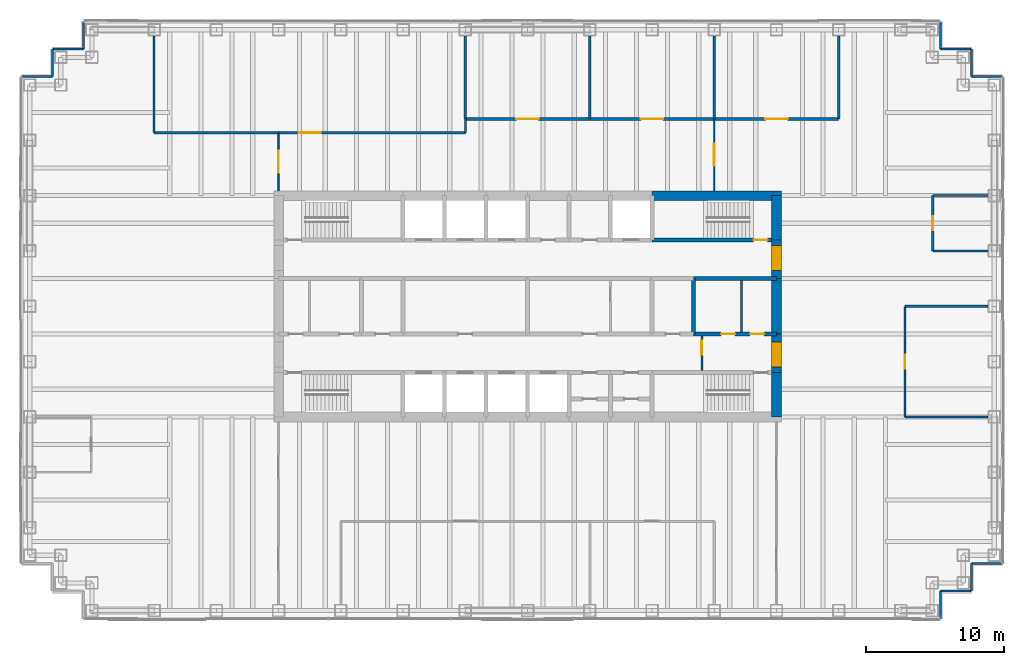
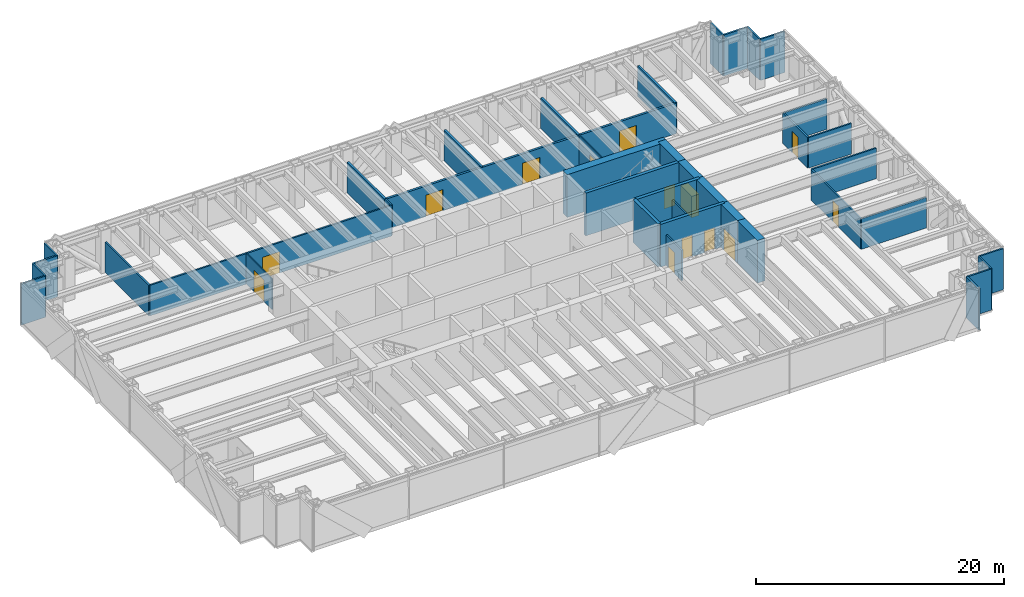
# One storey, part 15 of 17: 40 walls, 14 doors, 14 openings.
"""IFC4 building model written with IfcOpenShell, lengths in metres."""

from ifc_helpers import new_model, si_unit, direction, frame, frame_2d, origin, place, context, subcontext, project, spatial, rectangle, extrude, material, layer, layer_set, type_object, element, fill, save


model = new_model("IFC4")

# Units and contexts
model_context = context("Model", 3, precision=1e-05, world=origin(), true_north=direction((0.0, 1.0)))
body_context = subcontext(model_context, "Body", "Model", "MODEL_VIEW")
ifc_project = project(units=[si_unit("LENGTHUNIT", "METRE"), si_unit("AREAUNIT", "SQUARE_METRE"), si_unit("VOLUMEUNIT", "CUBIC_METRE"), si_unit("PLANEANGLEUNIT", "RADIAN"), si_unit("MASSUNIT", "GRAM", prefix="KILO")], contexts=[model_context])

# Site, building, storey
site_placement = place(None, origin())
site = spatial("IfcSite", under=ifc_project, at=site_placement, CompositionType="ELEMENT")
building_placement = place(site_placement, origin())
building = spatial("IfcBuilding", under=site, at=building_placement, Name="Rheinbord Bourse Tower", CompositionType="ELEMENT")
storey_placement = place(building_placement, frame((0.0, 0.0, 300.5)))
storey = spatial("IfcBuildingStorey", under=building, at=storey_placement, Name="L68", CompositionType="ELEMENT", Elevation=300.5)

# Wall, openings, doors
ifc_material_1 = material(Name="Acoustic gypsum board partition", Category="gypsum board")
ifc_layer_1 = layer(ifc_material_1, 0.199951171875)
ifc_layer_set_1 = layer_set([ifc_layer_1], Name="ACOUSTIC PARTITION 200")
wall_type_1 = type_object("IfcWallType", Name="ACOUSTIC PARTITION 200", PredefinedType="PARTITIONING", material=ifc_layer_set_1)
wall_1_placement = place(storey_placement, frame((31.5, 37.550048828125, 0.0), z_axis=(0.0, 0.0, 1.0), x_axis=(1.0, 0.0, 0.0)))
wall_1 = element("IfcWall", 1, at=wall_1_placement, inside=storey, type_object=wall_type_1, Name="Partition L68-10", PredefinedType="PARTITIONING", context=body_context, shape_type="SweptSolid", body=[
    extrude(rectangle(XDim=27.0, YDim=0.199951171875, at=frame_2d((13.5, 0.0))), origin(), (0.0, 0.0, 1.0), 3.0),
])
opening_1_placement = place(wall_1_placement, frame((3.699951171875, 0.0, 0.0)))
opening_1 = element("IfcOpeningElement", 2, at=opening_1_placement, cuts=wall_1, Name="Opening 68D07", PredefinedType="OPENING", context=body_context, shape_type="SweptSolid", body=[
    extrude(rectangle(XDim=1.60009765625, YDim=2.10009765625, at=frame_2d((0.800048828125, 1.050048828125))), frame((0.0, 0.10986328125, 0.0), z_axis=(0.0, -1.0, 0.0), x_axis=(1.0, 0.0, 0.0)), (0.0, 0.0, 1.0), 0.219970703125),
])
opening_2_placement = place(wall_1_placement, frame((12.699951171875, 0.0, 0.0)))
opening_2 = element("IfcOpeningElement", 3, at=opening_2_placement, cuts=wall_1, Name="Opening 68D08", PredefinedType="OPENING", context=body_context, shape_type="SweptSolid", body=[
    extrude(rectangle(XDim=1.60009765625, YDim=2.10009765625, at=frame_2d((0.800048828125, 1.050048828125))), frame((0.0, 0.10986328125, 0.0), z_axis=(0.0, -1.0, 0.0), x_axis=(1.0, 0.0, 0.0)), (0.0, 0.0, 1.0), 0.219970703125),
])
opening_3_placement = place(wall_1_placement, frame((21.699951171875, 0.0, 0.0)))
opening_3 = element("IfcOpeningElement", 4, at=opening_3_placement, cuts=wall_1, Name="Opening 68D09", PredefinedType="OPENING", context=body_context, shape_type="SweptSolid", body=[
    extrude(rectangle(XDim=1.60009765625, YDim=2.10009765625, at=frame_2d((0.800048828125, 1.050048828125))), frame((0.0, 0.10986328125, 0.0), z_axis=(0.0, -1.0, 0.0), x_axis=(1.0, 0.0, 0.0)), (0.0, 0.0, 1.0), 0.219970703125),
])
ifc_material_2 = material(Name="Timber door", Category="wood")
door_type_1 = type_object("IfcDoorType", Name="DOUBLE ROOM DOOR 1600", OperationType="DOUBLE_DOOR_DOUBLE_SWING", PredefinedType="DOOR", material=ifc_material_2)
door_1_placement = place(opening_1_placement, origin())
door_1 = element("IfcDoor", 5, at=door_1_placement, inside=storey, type_object=door_type_1, Name="Private dining room door L68", OperationType="SINGLE_SWING_LEFT", OverallHeight=2.10009765625, OverallWidth=1.60009765625, PredefinedType="DOOR", context=body_context, shape_type="SweptSolid", body=[
    extrude(rectangle(XDim=1.60009765625, YDim=2.10009765625, at=frame_2d((0.800048828125, 1.050048828125))), frame((0.0, 0.02490234375, 0.0), z_axis=(0.0, -1.0, 0.0), x_axis=(1.0, 0.0, 0.0)), (0.0, 0.0, 1.0), 0.050048828125),
])
fill(opening_1, door_1)
door_2_placement = place(opening_2_placement, origin())
door_2 = element("IfcDoor", 6, at=door_2_placement, inside=storey, type_object=door_type_1, Name="Private dining room door L68", OperationType="SINGLE_SWING_LEFT", OverallHeight=2.10009765625, OverallWidth=1.60009765625, PredefinedType="DOOR", context=body_context, shape_type="SweptSolid", body=[
    extrude(rectangle(XDim=1.60009765625, YDim=2.10009765625, at=frame_2d((0.800048828125, 1.050048828125))), frame((0.0, 0.02490234375, 0.0), z_axis=(0.0, -1.0, 0.0), x_axis=(1.0, 0.0, 0.0)), (0.0, 0.0, 1.0), 0.050048828125),
])
fill(opening_2, door_2)
door_3_placement = place(opening_3_placement, origin())
door_3 = element("IfcDoor", 7, at=door_3_placement, inside=storey, type_object=door_type_1, Name="Private dining room door L68", OperationType="SINGLE_SWING_LEFT", OverallHeight=2.10009765625, OverallWidth=1.60009765625, PredefinedType="DOOR", context=body_context, shape_type="SweptSolid", body=[
    extrude(rectangle(XDim=1.60009765625, YDim=2.10009765625, at=frame_2d((0.800048828125, 1.050048828125))), frame((0.0, 0.02490234375, 0.0), z_axis=(0.0, -1.0, 0.0), x_axis=(1.0, 0.0, 0.0)), (0.0, 0.0, 1.0), 0.050048828125),
])
fill(opening_3, door_3)

# Walls
for number, where, z_axis, x_axis, name in (
    (8, (31.5, 37.550048828125, 0.0), (0.0, 0.0, 1.0), (0.0, 1.0, 0.0), "Partition L68-17"),
    (9, (40.5, 37.550048828125, 0.0), (0.0, 0.0, 1.0), (0.0, 1.0, 0.0), "Partition L68-19"),
    (10, (49.5, 37.550048828125, 0.0), (0.0, 0.0, 1.0), (0.0, 1.0, 0.0), "Partition L68-22"),
    (11, (58.5, 37.550048828125, 0.0), (0.0, 0.0, 1.0), (0.0, 1.0, 0.0), "Partition L68-24"),
):
    element("IfcWall", number, at=place(storey_placement, frame(where, z_axis=z_axis, x_axis=x_axis)), inside=storey, type_object=wall_type_1, Name=name, PredefinedType="PARTITIONING", context=body_context, shape_type="SweptSolid", body=[
        extrude(rectangle(XDim=6.0, YDim=0.199951171875, at=frame_2d((3.0, 0.0))), origin(), (0.0, 0.0, 1.0), 3.0),
    ])

# Wall, opening, door
ifc_material_3 = material(Name="Concrete C50/60", Category="concrete")
ifc_layer_2 = layer(ifc_material_3, 0.300048828125)
ifc_layer_set_2 = layer_set([ifc_layer_2], Name="CORE INNER WALL 300")
wall_type_2 = type_object("IfcWallType", Name="CORE INNER WALL 300", PredefinedType="SOLIDWALL", material=ifc_layer_set_2)
wall_2_placement = place(storey_placement, frame((45.0, 28.800048828125, 0.0), z_axis=(0.0, 0.0, 1.0), x_axis=(1.0, 0.0, 0.0)))
wall_2 = element("IfcWall", 12, at=wall_2_placement, inside=storey, type_object=wall_type_2, Name="Core wall B8 L68", PredefinedType="SOLIDWALL", context=body_context, shape_type="SweptSolid", body=[
    extrude(rectangle(XDim=9.0, YDim=0.300048828125, at=frame_2d((4.5, 0.0))), origin(), (0.0, 0.0, 1.0), 4.199951171875),
])
opening_4_placement = place(wall_2_placement, frame((7.35009765625, 0.0, 0.0)))
opening_4 = element("IfcOpeningElement", 13, at=opening_4_placement, cuts=wall_2, Name="Opening 6840", PredefinedType="OPENING", context=body_context, shape_type="SweptSolid", body=[
    extrude(rectangle(XDim=1.0, YDim=2.10009765625, at=frame_2d((0.5, 1.050048828125))), frame((0.0, 0.159912109375, 0.0), z_axis=(0.0, -1.0, 0.0), x_axis=(1.0, 0.0, 0.0)), (0.0, 0.0, 1.0), 0.320068359375),
])
ifc_material_4 = material(Name="Steel door", Category="steel")
door_type_2 = type_object("IfcDoorType", Name="DOOR 1000 EI30", OperationType="SINGLE_SWING_LEFT", PredefinedType="DOOR", material=ifc_material_4)
door_4_placement = place(opening_4_placement, origin())
door_4 = element("IfcDoor", 14, at=door_4_placement, inside=storey, type_object=door_type_2, Name="Stair door ST4 L68", OperationType="SINGLE_SWING_RIGHT", OverallHeight=2.10009765625, OverallWidth=1.0, PredefinedType="DOOR", context=body_context, shape_type="SweptSolid", body=[
    extrude(rectangle(XDim=1.0, YDim=2.10009765625, at=frame_2d((0.5, 1.050048828125))), frame((0.0, 0.02490234375, 0.0), z_axis=(0.0, -1.0, 0.0), x_axis=(1.0, 0.0, 0.0)), (0.0, 0.0, 1.0), 0.050048828125),
])
fill(opening_4, door_4)

# Wall, openings, doors
wall_3_placement = place(storey_placement, frame((48.0, 22.0, 0.0), z_axis=(0.0, 0.0, 1.0), x_axis=(1.0, 0.0, 0.0)))
wall_3 = element("IfcWall", 15, at=wall_3_placement, inside=storey, type_object=wall_type_2, Name="Core wall C6 L68", PredefinedType="SOLIDWALL", context=body_context, shape_type="SweptSolid", body=[
    extrude(rectangle(XDim=6.0, YDim=0.300048828125, at=frame_2d((3.0, 0.0))), origin(), (0.0, 0.0, 1.0), 4.199951171875),
])
opening_5_placement = place(wall_3_placement, frame((2.0, 0.0, 0.0)))
opening_5 = element("IfcOpeningElement", 16, at=opening_5_placement, cuts=wall_3, Name="Opening 68R6", PredefinedType="OPENING", context=body_context, shape_type="SweptSolid", body=[
    extrude(rectangle(XDim=1.0, YDim=2.10009765625, at=frame_2d((0.5, 1.050048828125))), frame((0.0, 0.159912109375, 0.0), z_axis=(0.0, -1.0, 0.0), x_axis=(1.0, 0.0, 0.0)), (0.0, 0.0, 1.0), 0.320068359375),
])
opening_6_placement = place(wall_3_placement, frame((4.10009765625, 0.0, 0.0)))
opening_6 = element("IfcOpeningElement", 17, at=opening_6_placement, cuts=wall_3, Name="Opening 68R10", PredefinedType="OPENING", context=body_context, shape_type="SweptSolid", body=[
    extrude(rectangle(XDim=1.0, YDim=2.10009765625, at=frame_2d((0.5, 1.050048828125))), frame((0.0, 0.159912109375, 0.0), z_axis=(0.0, -1.0, 0.0), x_axis=(1.0, 0.0, 0.0)), (0.0, 0.0, 1.0), 0.320068359375),
])
door_5_placement = place(opening_6_placement, origin())
door_5 = element("IfcDoor", 18, at=door_5_placement, inside=storey, type_object=door_type_2, Name="Baby change door L68", OperationType="SINGLE_SWING_RIGHT", OverallHeight=2.10009765625, OverallWidth=1.0, PredefinedType="DOOR", context=body_context, shape_type="SweptSolid", body=[
    extrude(rectangle(XDim=1.0, YDim=2.10009765625, at=frame_2d((0.5, 1.050048828125))), frame((0.0, 0.02490234375, 0.0), z_axis=(0.0, -1.0, 0.0), x_axis=(1.0, 0.0, 0.0)), (0.0, 0.0, 1.0), 0.050048828125),
])
fill(opening_6, door_5)
ifc_material_5 = material(Name="Timber door", Category="wood")
door_type_3 = type_object("IfcDoorType", Name="DOOR 1000 WC", OperationType="SINGLE_SWING_LEFT", PredefinedType="DOOR", material=ifc_material_5)
door_6_placement = place(opening_5_placement, origin())
door_6 = element("IfcDoor", 19, at=door_6_placement, inside=storey, type_object=door_type_3, Name="WC women door L68", OperationType="SINGLE_SWING_LEFT", OverallHeight=2.10009765625, OverallWidth=1.0, PredefinedType="DOOR", context=body_context, shape_type="SweptSolid", body=[
    extrude(rectangle(XDim=1.0, YDim=2.10009765625, at=frame_2d((0.5, 1.050048828125))), frame((0.0, 0.02490234375, 0.0), z_axis=(0.0, -1.0, 0.0), x_axis=(1.0, 0.0, 0.0)), (0.0, 0.0, 1.0), 0.050048828125),
])
fill(opening_5, door_6)

# Walls
wall_4_placement = place(storey_placement, frame((48.0, 26.0, 0.0), z_axis=(0.0, 0.0, 1.0), x_axis=(1.0, 0.0, 0.0)))
element("IfcWall", 20, at=wall_4_placement, inside=storey, type_object=wall_type_2, Name="Core wall D6 L68", PredefinedType="SOLIDWALL", context=body_context, shape_type="SweptSolid", body=[
    extrude(rectangle(XDim=6.0, YDim=0.300048828125, at=frame_2d((3.0, 0.0))), origin(), (0.0, 0.0, 1.0), 4.199951171875),
])
wall_5_placement = place(storey_placement, frame((48.0, 22.0, 0.0), z_axis=(0.0, 0.0, 1.0), x_axis=(0.0, 1.0, 0.0)))
element("IfcWall", 21, at=wall_5_placement, inside=storey, type_object=wall_type_2, Name="Core wall MX48 L68", PredefinedType="SOLIDWALL", context=body_context, shape_type="SweptSolid", body=[
    extrude(rectangle(XDim=4.0, YDim=0.300048828125, at=frame_2d((2.0, 0.0))), origin(), (0.0, 0.0, 1.0), 4.199951171875),
])
ifc_material_6 = material(Name="Gypsum board fire partition", Category="gypsum board")
ifc_layer_3 = layer(ifc_material_6, 0.14990234375)
ifc_layer_set_3 = layer_set([ifc_layer_3], Name="CORE PARTITION 150 EI30")
wall_type_3 = type_object("IfcWallType", Name="CORE PARTITION 150 EI30", PredefinedType="PARTITIONING", material=ifc_layer_set_3)
wall_6_placement = place(storey_placement, frame((51.47509765625, 22.14990234375, 0.0), z_axis=(0.0, 0.0, 1.0), x_axis=(0.0, 1.0, 0.0)))
element("IfcWall", 22, at=wall_6_placement, inside=storey, type_object=wall_type_3, Name="Core partition L68-3", PredefinedType="PARTITIONING", context=body_context, shape_type="SweptSolid", body=[
    extrude(rectangle(XDim=3.7001953125, YDim=0.14990234375, at=frame_2d((1.85009765625, 0.0))), origin(), (0.0, 0.0, 1.0), 3.0),
])

# Wall, opening, door
wall_7_placement = place(storey_placement, frame((48.60009765625, 19.35009765625, 0.0), z_axis=(0.0, 0.0, 1.0), x_axis=(0.0, 1.0, 0.0)))
wall_7 = element("IfcWall", 23, at=wall_7_placement, inside=storey, type_object=wall_type_3, Name="Core partition L68-4", PredefinedType="PARTITIONING", context=body_context, shape_type="SweptSolid", body=[
    extrude(rectangle(XDim=2.5, YDim=0.14990234375, at=frame_2d((1.25, 0.0))), origin(), (0.0, 0.0, 1.0), 3.0),
])
opening_7_placement = place(wall_7_placement, frame((1.14990234375, 0.0, 0.0)))
opening_7 = element("IfcOpeningElement", 24, at=opening_7_placement, cuts=wall_7, Name="Opening 68L5", PredefinedType="OPENING", context=body_context, shape_type="SweptSolid", body=[
    extrude(rectangle(XDim=1.0, YDim=2.10009765625, at=frame_2d((0.5, 1.050048828125))), frame((0.0, 0.0849609375, 0.0), z_axis=(0.0, -1.0, 0.0), x_axis=(1.0, 0.0, 0.0)), (0.0, 0.0, 1.0), 0.169921875),
])
door_7_placement = place(opening_7_placement, origin())
door_7 = element("IfcDoor", 25, at=door_7_placement, inside=storey, type_object=door_type_2, Name="Stair lobby door L68", OperationType="SINGLE_SWING_RIGHT", OverallHeight=2.10009765625, OverallWidth=1.0, PredefinedType="DOOR", context=body_context, shape_type="SweptSolid", body=[
    extrude(rectangle(XDim=1.0, YDim=2.10009765625, at=frame_2d((0.5, 1.050048828125))), frame((0.0, 0.02490234375, 0.0), z_axis=(0.0, -1.0, 0.0), x_axis=(1.0, 0.0, 0.0)), (0.0, 0.0, 1.0), 0.050048828125),
])
fill(opening_7, door_7)

# Walls
ifc_material_7 = material(Name="Concrete C50/60", Category="concrete")
ifc_layer_4 = layer(ifc_material_7, 0.699951171875)
ifc_layer_set_4 = layer_set([ifc_layer_4], Name="CORE WALL 700")
wall_type_4 = type_object("IfcWallType", Name="CORE WALL 700", PredefinedType="SHEAR", material=ifc_layer_set_4)
wall_8_placement = place(storey_placement, frame((54.35009765625, 32.0, 0.0), z_axis=(0.0, 0.0, 1.0), x_axis=(-1.0, 0.0, 0.0)))
element("IfcWall", 26, at=wall_8_placement, inside=storey, type_object=wall_type_4, Name="Core wall N1 L68", PredefinedType="SHEAR", context=body_context, shape_type="SweptSolid", body=[
    extrude(rectangle(XDim=9.35009765625, YDim=0.699951171875, at=frame_2d((4.675048828125, 0.0))), origin(), (0.0, 0.0, 1.0), 4.199951171875),
])
wall_9_placement = place(storey_placement, frame((54.0, 16.0, 0.0), z_axis=(0.0, 0.0, 1.0), x_axis=(0.0, 1.0, 0.0)))
element("IfcWall", 27, at=wall_9_placement, inside=storey, type_object=wall_type_4, Name="Core wall E1 L68", PredefinedType="SHEAR", context=body_context, shape_type="SweptSolid", body=[
    extrude(rectangle(XDim=3.199951171875, YDim=0.699951171875, at=frame_2d((1.60009765625, 0.0))), origin(), (0.0, 0.0, 1.0), 4.199951171875),
])

# Wall, opening, door
wall_10_placement = place(storey_placement, frame((54.0, 19.199951171875, 0.0), z_axis=(0.0, 0.0, 1.0), x_axis=(0.0, 1.0, 0.0)))
wall_10 = element("IfcWall", 28, at=wall_10_placement, inside=storey, type_object=wall_type_4, Name="Core wall E2 L68", PredefinedType="SHEAR", context=body_context, shape_type="SweptSolid", body=[
    extrude(rectangle(XDim=2.800048828125, YDim=0.699951171875, at=frame_2d((1.39990234375, 0.0))), origin(), (0.0, 0.0, 1.0), 4.199951171875),
])
opening_8_placement = place(wall_10_placement, frame((0.39990234375, 0.0, 0.0)))
opening_8 = element("IfcOpeningElement", 29, at=opening_8_placement, cuts=wall_10, Name="Opening 68L3", PredefinedType="OPENING", context=body_context, shape_type="SweptSolid", body=[
    extrude(rectangle(XDim=1.800048828125, YDim=2.10009765625, at=frame_2d((0.89990234375, 1.050048828125))), frame((0.0, 0.35986328125, 0.0), z_axis=(0.0, -1.0, 0.0), x_axis=(1.0, 0.0, 0.0)), (0.0, 0.0, 1.0), 0.719970703125),
])
ifc_material_8 = material(Name="Steel door", Category="steel")
door_type_4 = type_object("IfcDoorType", Name="DOOR 1800 EI30 DOUBLE", OperationType="DOUBLE_DOOR_DOUBLE_SWING", PredefinedType="DOOR", material=ifc_material_8)
door_8_placement = place(opening_8_placement, origin())
door_8 = element("IfcDoor", 30, at=door_8_placement, inside=storey, type_object=door_type_4, Name="Lobby door 3 L68", OperationType="SINGLE_SWING_LEFT", OverallHeight=2.10009765625, OverallWidth=1.800048828125, PredefinedType="DOOR", context=body_context, shape_type="SweptSolid", body=[
    extrude(rectangle(XDim=1.800048828125, YDim=2.10009765625, at=frame_2d((0.89990234375, 1.050048828125))), frame((0.0, 0.349609375, 0.0), z_axis=(0.0, -1.0, 0.0), x_axis=(1.0, 0.0, 0.0)), (0.0, 0.0, 1.0), 0.699462890625),
])
fill(opening_8, door_8)

# Wall
wall_11_placement = place(storey_placement, frame((54.0, 22.0, 0.0), z_axis=(0.0, 0.0, 1.0), x_axis=(0.0, 1.0, 0.0)))
element("IfcWall", 31, at=wall_11_placement, inside=storey, type_object=wall_type_4, Name="Core wall E3 L68", PredefinedType="SHEAR", context=body_context, shape_type="SweptSolid", body=[
    extrude(rectangle(XDim=4.0, YDim=0.699951171875, at=frame_2d((2.0, 0.0))), origin(), (0.0, 0.0, 1.0), 4.199951171875),
])

# Wall, opening, door
wall_12_placement = place(storey_placement, frame((54.0, 26.0, 0.0), z_axis=(0.0, 0.0, 1.0), x_axis=(0.0, 1.0, 0.0)))
wall_12 = element("IfcWall", 32, at=wall_12_placement, inside=storey, type_object=wall_type_4, Name="Core wall E4 L68", PredefinedType="SHEAR", context=body_context, shape_type="SweptSolid", body=[
    extrude(rectangle(XDim=2.800048828125, YDim=0.699951171875, at=frame_2d((1.39990234375, 0.0))), origin(), (0.0, 0.0, 1.0), 4.199951171875),
])
opening_9_placement = place(wall_12_placement, frame((0.60009765625, 0.0, 0.0)))
opening_9 = element("IfcOpeningElement", 33, at=opening_9_placement, cuts=wall_12, Name="Opening 68L4", PredefinedType="OPENING", context=body_context, shape_type="SweptSolid", body=[
    extrude(rectangle(XDim=1.800048828125, YDim=2.10009765625, at=frame_2d((0.89990234375, 1.050048828125))), frame((0.0, 0.35986328125, 0.0), z_axis=(0.0, -1.0, 0.0), x_axis=(1.0, 0.0, 0.0)), (0.0, 0.0, 1.0), 0.719970703125),
])
door_9_placement = place(opening_9_placement, origin())
door_9 = element("IfcDoor", 34, at=door_9_placement, inside=storey, type_object=door_type_4, Name="Lobby door 4 L68", OperationType="SINGLE_SWING_LEFT", OverallHeight=2.10009765625, OverallWidth=1.800048828125, PredefinedType="DOOR", context=body_context, shape_type="SweptSolid", body=[
    extrude(rectangle(XDim=1.800048828125, YDim=2.10009765625, at=frame_2d((0.89990234375, 1.050048828125))), frame((0.0, 0.349609375, 0.0), z_axis=(0.0, -1.0, 0.0), x_axis=(1.0, 0.0, 0.0)), (0.0, 0.0, 1.0), 0.699462890625),
])
fill(opening_9, door_9)

# Walls
wall_13_placement = place(storey_placement, frame((54.0, 28.800048828125, 0.0), z_axis=(0.0, 0.0, 1.0), x_axis=(0.0, 1.0, 0.0)))
element("IfcWall", 35, at=wall_13_placement, inside=storey, type_object=wall_type_4, Name="Core wall E5 L68", PredefinedType="SHEAR", context=body_context, shape_type="SweptSolid", body=[
    extrude(rectangle(XDim=3.199951171875, YDim=0.699951171875, at=frame_2d((1.60009765625, 0.0))), origin(), (0.0, 0.0, 1.0), 4.199951171875),
])
ifc_material_9 = material(Name="Black metal rainscreen panel", Category="aluminium")
ifc_layer_5 = layer(ifc_material_9, 0.14990234375)
ifc_layer_set_5 = layer_set([ifc_layer_5], Name="CORNER PIER CLADDING 150")
wall_type_5 = type_object("IfcWallType", Name="CORNER PIER CLADDING 150", PredefinedType="ELEMENTEDWALL", material=ifc_layer_set_5)
wall_14_placement = place(storey_placement, frame((65.85009765625, 1.39990234375, 0.0), z_axis=(0.0, 0.0, 1.0), x_axis=(0.0, 1.0, 0.0)))
element("IfcWall", 36, at=wall_14_placement, inside=storey, type_object=wall_type_5, Name="Corner pier cladding L68 2", PredefinedType="ELEMENTEDWALL", context=body_context, shape_type="SweptSolid", body=[
    extrude(rectangle(XDim=2.0, YDim=0.14990234375, at=frame_2d((1.0, 0.0))), origin(), (0.0, 0.0, 1.0), 4.0400390625),
])
wall_15_placement = place(storey_placement, frame((65.85009765625, 3.39990234375, 0.0), z_axis=(0.0, 0.0, 1.0), x_axis=(1.0, 0.0, 0.0)))
element("IfcWall", 37, at=wall_15_placement, inside=storey, type_object=wall_type_5, Name="Corner pier cladding L68 3", PredefinedType="ELEMENTEDWALL", context=body_context, shape_type="SweptSolid", body=[
    extrude(rectangle(XDim=2.25, YDim=0.14990234375, at=frame_2d((1.125, 0.0))), origin(), (0.0, 0.0, 1.0), 4.0400390625),
])
wall_16_placement = place(storey_placement, frame((68.10009765625, 3.39990234375, 0.0), z_axis=(0.0, 0.0, 1.0), x_axis=(0.0, 1.0, 0.0)))
element("IfcWall", 38, at=wall_16_placement, inside=storey, type_object=wall_type_5, Name="Corner pier cladding L68 4", PredefinedType="ELEMENTEDWALL", context=body_context, shape_type="SweptSolid", body=[
    extrude(rectangle(XDim=2.0, YDim=0.14990234375, at=frame_2d((1.0, 0.0))), origin(), (0.0, 0.0, 1.0), 4.0400390625),
])
for number, where, z_axis, x_axis, name in (
    (39, (68.10009765625, 5.39990234375, 0.0), (0.0, 0.0, 1.0), (1.0, 0.0, 0.0), "Corner pier cladding L68 5"),
    (40, (70.35009765625, 40.60009765625, 0.0), (0.0, 0.0, 1.0), (-1.0, 0.0, 0.0), "Corner pier cladding L68 7"),
):
    element("IfcWall", number, at=place(storey_placement, frame(where, z_axis=z_axis, x_axis=x_axis)), inside=storey, type_object=wall_type_5, Name=name, PredefinedType="ELEMENTEDWALL", context=body_context, shape_type="SweptSolid", body=[
        extrude(rectangle(XDim=2.25, YDim=0.14990234375, at=frame_2d((1.125, 0.0))), origin(), (0.0, 0.0, 1.0), 4.0400390625),
    ])
wall_17_placement = place(storey_placement, frame((68.10009765625, 40.60009765625, 0.0), z_axis=(0.0, 0.0, 1.0), x_axis=(0.0, 1.0, 0.0)))
element("IfcWall", 41, at=wall_17_placement, inside=storey, type_object=wall_type_5, Name="Corner pier cladding L68 8", PredefinedType="ELEMENTEDWALL", context=body_context, shape_type="SweptSolid", body=[
    extrude(rectangle(XDim=2.0, YDim=0.14990234375, at=frame_2d((1.0, 0.0))), origin(), (0.0, 0.0, 1.0), 4.0400390625),
])
wall_18_placement = place(storey_placement, frame((68.10009765625, 42.60009765625, 0.0), z_axis=(0.0, 0.0, 1.0), x_axis=(-1.0, 0.0, 0.0)))
element("IfcWall", 42, at=wall_18_placement, inside=storey, type_object=wall_type_5, Name="Corner pier cladding L68 9", PredefinedType="ELEMENTEDWALL", context=body_context, shape_type="SweptSolid", body=[
    extrude(rectangle(XDim=2.25, YDim=0.14990234375, at=frame_2d((1.125, 0.0))), origin(), (0.0, 0.0, 1.0), 4.0400390625),
])
for number, where, z_axis, x_axis, name in (
    (43, (65.85009765625, 42.60009765625, 0.0), (0.0, 0.0, 1.0), (0.0, 1.0, 0.0), "Corner pier cladding L68 10"),
    (44, (3.89990234375, 44.60009765625, 0.0), (0.0, 0.0, 1.0), (0.0, -1.0, 0.0), "Corner pier cladding L68 12"),
):
    element("IfcWall", number, at=place(storey_placement, frame(where, z_axis=z_axis, x_axis=x_axis)), inside=storey, type_object=wall_type_5, Name=name, PredefinedType="ELEMENTEDWALL", context=body_context, shape_type="SweptSolid", body=[
        extrude(rectangle(XDim=2.0, YDim=0.14990234375, at=frame_2d((1.0, 0.0))), origin(), (0.0, 0.0, 1.0), 4.0400390625),
    ])
wall_19_placement = place(storey_placement, frame((3.89990234375, 42.60009765625, 0.0), z_axis=(0.0, 0.0, 1.0), x_axis=(-1.0, 0.0, 0.0)))
element("IfcWall", 45, at=wall_19_placement, inside=storey, type_object=wall_type_5, Name="Corner pier cladding L68 13", PredefinedType="ELEMENTEDWALL", context=body_context, shape_type="SweptSolid", body=[
    extrude(rectangle(XDim=2.25, YDim=0.14990234375, at=frame_2d((1.125, 0.0))), origin(), (0.0, 0.0, 1.0), 4.0400390625),
])
wall_20_placement = place(storey_placement, frame((1.64990234375, 42.60009765625, 0.0), z_axis=(0.0, 0.0, 1.0), x_axis=(0.0, -1.0, 0.0)))
element("IfcWall", 46, at=wall_20_placement, inside=storey, type_object=wall_type_5, Name="Corner pier cladding L68 14", PredefinedType="ELEMENTEDWALL", context=body_context, shape_type="SweptSolid", body=[
    extrude(rectangle(XDim=2.0, YDim=0.14990234375, at=frame_2d((1.0, 0.0))), origin(), (0.0, 0.0, 1.0), 4.0400390625),
])
wall_21_placement = place(storey_placement, frame((1.64990234375, 40.60009765625, 0.0), z_axis=(0.0, 0.0, 1.0), x_axis=(-1.0, 0.0, 0.0)))
element("IfcWall", 47, at=wall_21_placement, inside=storey, type_object=wall_type_5, Name="Corner pier cladding L68 15", PredefinedType="ELEMENTEDWALL", context=body_context, shape_type="SweptSolid", body=[
    extrude(rectangle(XDim=2.25, YDim=0.14990234375, at=frame_2d((1.125, 0.0))), origin(), (0.0, 0.0, 1.0), 4.0400390625),
])

# Wall, opening, door
ifc_material_10 = material(Name="Toughened laminated glass partition", Category="glass")
ifc_layer_6 = layer(ifc_material_10, 0.10009765625)
ifc_layer_set_6 = layer_set([ifc_layer_6], Name="GLAZED PARTITION 100")
wall_type_6 = type_object("IfcWallType", Name="GLAZED PARTITION 100", PredefinedType="PARTITIONING", material=ifc_layer_set_6)
wall_22_placement = place(storey_placement, frame((18.0, 32.35009765625, 0.0), z_axis=(0.0, 0.0, 1.0), x_axis=(0.0, 1.0, 0.0)))
wall_22 = element("IfcWall", 48, at=wall_22_placement, inside=storey, type_object=wall_type_6, Name="Partition L68-14", PredefinedType="PARTITIONING", context=body_context, shape_type="SweptSolid", body=[
    extrude(rectangle(XDim=4.199951171875, YDim=0.10009765625, at=frame_2d((2.10009765625, 0.0))), origin(), (0.0, 0.0, 1.0), 3.0),
])
opening_10_placement = place(wall_22_placement, frame((1.300048828125, 0.0, 0.0)))
opening_10 = element("IfcOpeningElement", 49, at=opening_10_placement, cuts=wall_22, Name="Opening 68D12", PredefinedType="OPENING", context=body_context, shape_type="SweptSolid", body=[
    extrude(rectangle(XDim=1.60009765625, YDim=2.10009765625, at=frame_2d((0.800048828125, 1.050048828125))), frame((0.0, 0.06005859375, 0.0), z_axis=(0.0, -1.0, 0.0), x_axis=(1.0, 0.0, 0.0)), (0.0, 0.0, 1.0), 0.1201171875),
])
door_10_placement = place(opening_10_placement, origin())
door_10 = element("IfcDoor", 50, at=door_10_placement, inside=storey, type_object=door_type_1, Name="Open area door L68", OperationType="SINGLE_SWING_LEFT", OverallHeight=2.10009765625, OverallWidth=1.60009765625, PredefinedType="DOOR", context=body_context, shape_type="SweptSolid", body=[
    extrude(rectangle(XDim=1.60009765625, YDim=2.10009765625, at=frame_2d((0.800048828125, 1.050048828125))), frame((0.0, 0.02490234375, 0.0), z_axis=(0.0, -1.0, 0.0), x_axis=(1.0, 0.0, 0.0)), (0.0, 0.0, 1.0), 0.050048828125),
])
fill(opening_10, door_10)

wall_23_placement = place(storey_placement, frame((49.5, 32.35009765625, 0.0), z_axis=(0.0, 0.0, 1.0), x_axis=(0.0, 1.0, 0.0)))
wall_23 = element("IfcWall", 51, at=wall_23_placement, inside=storey, type_object=wall_type_6, Name="Partition L68-21", PredefinedType="PARTITIONING", context=body_context, shape_type="SweptSolid", body=[
    extrude(rectangle(XDim=5.199951171875, YDim=0.10009765625, at=frame_2d((2.60009765625, 0.0))), origin(), (0.0, 0.0, 1.0), 3.0),
])
opening_11_placement = place(wall_23_placement, frame((1.800048828125, 0.0, 0.0)))
opening_11 = element("IfcOpeningElement", 52, at=opening_11_placement, cuts=wall_23, Name="Opening 68D15", PredefinedType="OPENING", context=body_context, shape_type="SweptSolid", body=[
    extrude(rectangle(XDim=1.60009765625, YDim=2.10009765625, at=frame_2d((0.800048828125, 1.050048828125))), frame((0.0, 0.06005859375, 0.0), z_axis=(0.0, -1.0, 0.0), x_axis=(1.0, 0.0, 0.0)), (0.0, 0.0, 1.0), 0.1201171875),
])
door_11_placement = place(opening_11_placement, origin())
door_11 = element("IfcDoor", 53, at=door_11_placement, inside=storey, type_object=door_type_1, Name="Open area door L68", OperationType="SINGLE_SWING_LEFT", OverallHeight=2.10009765625, OverallWidth=1.60009765625, PredefinedType="DOOR", context=body_context, shape_type="SweptSolid", body=[
    extrude(rectangle(XDim=1.60009765625, YDim=2.10009765625, at=frame_2d((0.800048828125, 1.050048828125))), frame((0.0, 0.02490234375, 0.0), z_axis=(0.0, -1.0, 0.0), x_axis=(1.0, 0.0, 0.0)), (0.0, 0.0, 1.0), 0.050048828125),
])
fill(opening_11, door_11)

# Walls
ifc_material_11 = material(Name="Gypsum board partition", Category="gypsum board")
ifc_layer_7 = layer(ifc_material_11, 0.14990234375)
ifc_layer_set_7 = layer_set([ifc_layer_7], Name="PARTITION 150")
wall_type_7 = type_object("IfcWallType", Name="PARTITION 150", PredefinedType="PARTITIONING", material=ifc_layer_set_7)
for number, where, z_axis, x_axis, name in (
    (54, (63.300048828125, 16.0, 0.0), (0.0, 0.0, 1.0), (1.0, 0.0, 0.0), "Partition L68-05"),
    (55, (63.300048828125, 24.0, 0.0), (0.0, 0.0, 1.0), (1.0, 0.0, 0.0), "Partition L68-06"),
):
    element("IfcWall", number, at=place(storey_placement, frame(where, z_axis=z_axis, x_axis=x_axis)), inside=storey, type_object=wall_type_7, Name=name, PredefinedType="PARTITIONING", context=body_context, shape_type="SweptSolid", body=[
        extrude(rectangle(XDim=6.0, YDim=0.14990234375, at=frame_2d((3.0, 0.0))), origin(), (0.0, 0.0, 1.0), 3.0),
    ])
for number, where, z_axis, x_axis, name in (
    (56, (65.300048828125, 28.0, 0.0), (0.0, 0.0, 1.0), (1.0, 0.0, 0.0), "Partition L68-07"),
    (57, (65.300048828125, 32.0, 0.0), (0.0, 0.0, 1.0), (1.0, 0.0, 0.0), "Partition L68-08"),
):
    element("IfcWall", number, at=place(storey_placement, frame(where, z_axis=z_axis, x_axis=x_axis)), inside=storey, type_object=wall_type_7, Name=name, PredefinedType="PARTITIONING", context=body_context, shape_type="SweptSolid", body=[
        extrude(rectangle(XDim=4.0, YDim=0.14990234375, at=frame_2d((2.0, 0.0))), origin(), (0.0, 0.0, 1.0), 3.0),
    ])

# Wall, opening, door
wall_24_placement = place(storey_placement, frame((9.0, 36.550048828125, 0.0), z_axis=(0.0, 0.0, 1.0), x_axis=(1.0, 0.0, 0.0)))
wall_24 = element("IfcWall", 58, at=wall_24_placement, inside=storey, type_object=wall_type_7, Name="Partition L68-09", PredefinedType="PARTITIONING", context=body_context, shape_type="SweptSolid", body=[
    extrude(rectangle(XDim=22.5, YDim=0.14990234375, at=frame_2d((11.25, 0.0))), origin(), (0.0, 0.0, 1.0), 3.0),
])
opening_12_placement = place(wall_24_placement, frame((10.449951171875, 0.0, 0.0)))
opening_12 = element("IfcOpeningElement", 59, at=opening_12_placement, cuts=wall_24, Name="Opening 68D06", PredefinedType="OPENING", context=body_context, shape_type="SweptSolid", body=[
    extrude(rectangle(XDim=1.60009765625, YDim=2.10009765625, at=frame_2d((0.800048828125, 1.050048828125))), frame((0.0, 0.0849609375, 0.0), z_axis=(0.0, -1.0, 0.0), x_axis=(1.0, 0.0, 0.0)), (0.0, 0.0, 1.0), 0.169921875),
])
door_12_placement = place(opening_12_placement, origin())
door_12 = element("IfcDoor", 60, at=door_12_placement, inside=storey, type_object=door_type_1, Name="Members reading room door L68", OperationType="SINGLE_SWING_LEFT", OverallHeight=2.10009765625, OverallWidth=1.60009765625, PredefinedType="DOOR", context=body_context, shape_type="SweptSolid", body=[
    extrude(rectangle(XDim=1.60009765625, YDim=2.10009765625, at=frame_2d((0.800048828125, 1.050048828125))), frame((0.0, 0.02490234375, 0.0), z_axis=(0.0, -1.0, 0.0), x_axis=(1.0, 0.0, 0.0)), (0.0, 0.0, 1.0), 0.050048828125),
])
fill(opening_12, door_12)

# Walls
wall_25_placement = place(storey_placement, frame((9.0, 36.550048828125, 0.0), z_axis=(0.0, 0.0, 1.0), x_axis=(0.0, 1.0, 0.0)))
element("IfcWall", 61, at=wall_25_placement, inside=storey, type_object=wall_type_7, Name="Partition L68-12", PredefinedType="PARTITIONING", context=body_context, shape_type="SweptSolid", body=[
    extrude(rectangle(XDim=7.0, YDim=0.14990234375, at=frame_2d((3.5, 0.0))), origin(), (0.0, 0.0, 1.0), 3.0),
])
wall_26_placement = place(storey_placement, frame((31.5, 36.550048828125, 0.0), z_axis=(0.0, 0.0, 1.0), x_axis=(0.0, 1.0, 0.0)))
element("IfcWall", 62, at=wall_26_placement, inside=storey, type_object=wall_type_7, Name="Partition L68-16", PredefinedType="PARTITIONING", context=body_context, shape_type="SweptSolid", body=[
    extrude(rectangle(XDim=1.0, YDim=0.14990234375, at=frame_2d((0.5, 0.0))), origin(), (0.0, 0.0, 1.0), 3.0),
])

# Wall, opening, door
wall_27_placement = place(storey_placement, frame((63.300048828125, 16.0, 0.0), z_axis=(0.0, 0.0, 1.0), x_axis=(0.0, 1.0, 0.0)))
wall_27 = element("IfcWall", 63, at=wall_27_placement, inside=storey, type_object=wall_type_7, Name="Partition L68-25", PredefinedType="PARTITIONING", context=body_context, shape_type="SweptSolid", body=[
    extrude(rectangle(XDim=8.0, YDim=0.14990234375, at=frame_2d((4.0, 0.0))), origin(), (0.0, 0.0, 1.0), 3.0),
])
opening_13_placement = place(wall_27_placement, frame((3.5, 0.0, 0.0)))
opening_13 = element("IfcOpeningElement", 64, at=opening_13_placement, cuts=wall_27, Name="Opening 68D04", PredefinedType="OPENING", context=body_context, shape_type="SweptSolid", body=[
    extrude(rectangle(XDim=1.0, YDim=2.10009765625, at=frame_2d((0.5, 1.050048828125))), frame((0.0, 0.0849609375, 0.0), z_axis=(0.0, -1.0, 0.0), x_axis=(1.0, 0.0, 0.0)), (0.0, 0.0, 1.0), 0.169921875),
])
ifc_material_12 = material(Name="Timber door", Category="wood")
door_type_5 = type_object("IfcDoorType", Name="ROOM DOOR 1000", OperationType="SINGLE_SWING_LEFT", PredefinedType="DOOR", material=ifc_material_12)
door_13_placement = place(opening_13_placement, origin())
door_13 = element("IfcDoor", 65, at=door_13_placement, inside=storey, type_object=door_type_5, Name="Servery door L68", OperationType="SINGLE_SWING_LEFT", OverallHeight=2.10009765625, OverallWidth=1.0, PredefinedType="DOOR", context=body_context, shape_type="SweptSolid", body=[
    extrude(rectangle(XDim=1.0, YDim=2.10009765625, at=frame_2d((0.5, 1.050048828125))), frame((0.0, 0.02490234375, 0.0), z_axis=(0.0, -1.0, 0.0), x_axis=(1.0, 0.0, 0.0)), (0.0, 0.0, 1.0), 0.050048828125),
])
fill(opening_13, door_13)

wall_28_placement = place(storey_placement, frame((65.300048828125, 28.0, 0.0), z_axis=(0.0, 0.0, 1.0), x_axis=(0.0, 1.0, 0.0)))
wall_28 = element("IfcWall", 66, at=wall_28_placement, inside=storey, type_object=wall_type_7, Name="Partition L68-26", PredefinedType="PARTITIONING", context=body_context, shape_type="SweptSolid", body=[
    extrude(rectangle(XDim=4.0, YDim=0.14990234375, at=frame_2d((2.0, 0.0))), origin(), (0.0, 0.0, 1.0), 3.0),
])
opening_14_placement = place(wall_28_placement, frame((1.5, 0.0, 0.0)))
opening_14 = element("IfcOpeningElement", 67, at=opening_14_placement, cuts=wall_28, Name="Opening 68D05", PredefinedType="OPENING", context=body_context, shape_type="SweptSolid", body=[
    extrude(rectangle(XDim=1.0, YDim=2.10009765625, at=frame_2d((0.5, 1.050048828125))), frame((0.0, 0.0849609375, 0.0), z_axis=(0.0, -1.0, 0.0), x_axis=(1.0, 0.0, 0.0)), (0.0, 0.0, 1.0), 0.169921875),
])
door_14_placement = place(opening_14_placement, origin())
door_14 = element("IfcDoor", 68, at=door_14_placement, inside=storey, type_object=door_type_5, Name="Cloakroom door L68", OperationType="SINGLE_SWING_LEFT", OverallHeight=2.10009765625, OverallWidth=1.0, PredefinedType="DOOR", context=body_context, shape_type="SweptSolid", body=[
    extrude(rectangle(XDim=1.0, YDim=2.10009765625, at=frame_2d((0.5, 1.050048828125))), frame((0.0, 0.02490234375, 0.0), z_axis=(0.0, -1.0, 0.0), x_axis=(1.0, 0.0, 0.0)), (0.0, 0.0, 1.0), 0.050048828125),
])
fill(opening_14, door_14)

save(model, "model.ifc")
